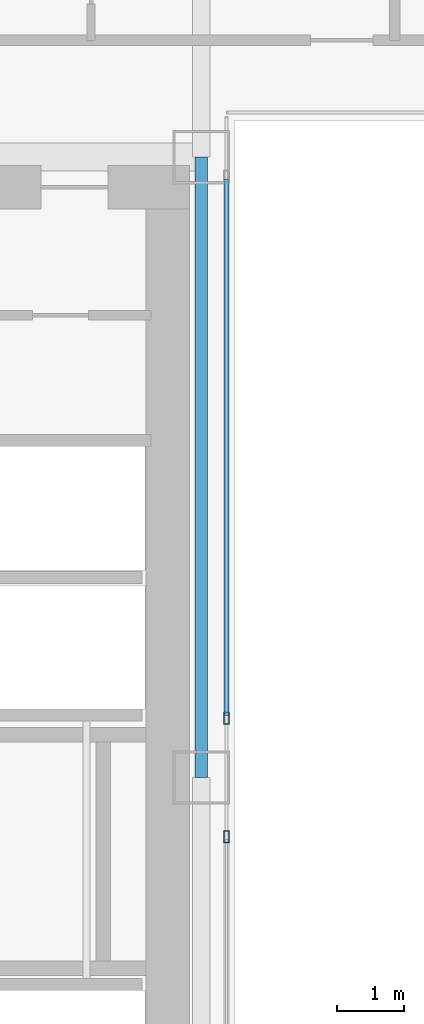
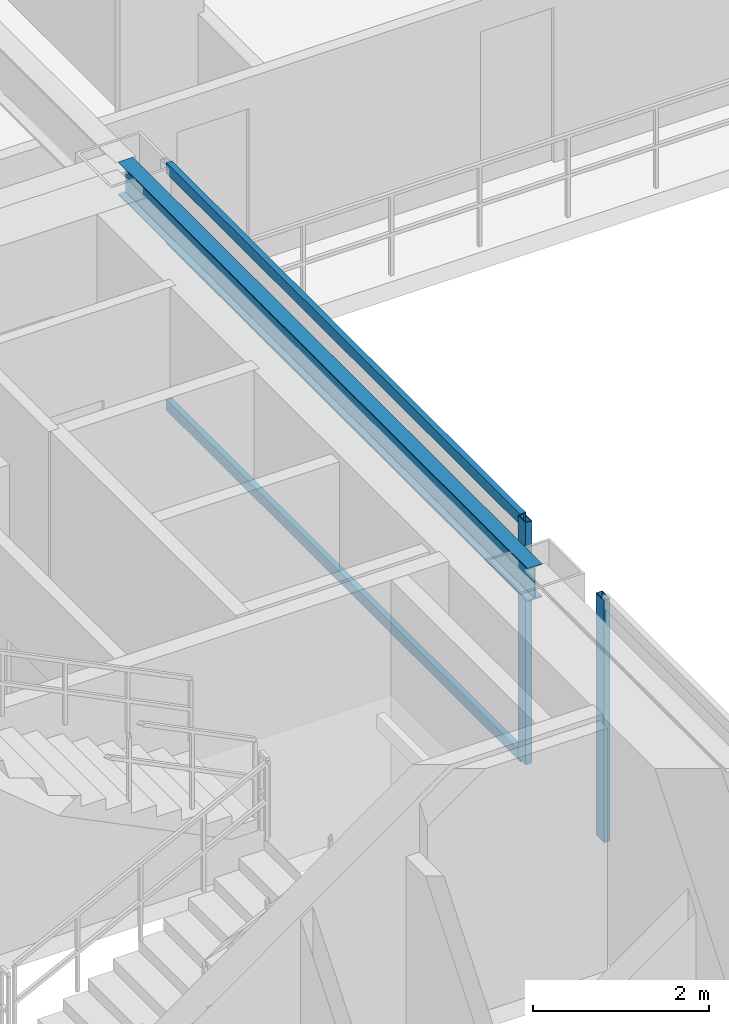
# One storey, part 10 of 39: 5 members, 1 beam, 2 elements without a shape of their own.
"""IFC4 building model written with IfcOpenShell, lengths in metres."""

from ifc_helpers import new_model, si_unit, direction, frame, origin, origin_2d, place, context, subcontext, project, spatial, hollow_rectangle, i_section, extrude, source, transform, mapped, material, layer, layer_set, material_profile, profile_set, type_object, element, aggregate, save


model = new_model("IFC4")

# Units and contexts
model_context = context("Model", 3, precision=1e-05, world=origin(), true_north=direction((0.0, 1.0)))
body_context = subcontext(model_context, "Body", "Model", "MODEL_VIEW")
ifc_project = project(units=[si_unit("LENGTHUNIT", "METRE"), si_unit("AREAUNIT", "SQUARE_METRE"), si_unit("VOLUMEUNIT", "CUBIC_METRE"), si_unit("PLANEANGLEUNIT", "RADIAN"), si_unit("MASSUNIT", "GRAM", prefix="KILO")], contexts=[model_context])

# Site, building, storey
site_placement = place(None, origin())
site = spatial("IfcSite", under=ifc_project, at=site_placement, CompositionType="ELEMENT")
building_placement = place(site_placement, origin())
building = spatial("IfcBuilding", under=site, at=building_placement, Name="Ocotamira Hotel", CompositionType="ELEMENT")
storey_placement = place(building_placement, frame((0.0, 0.0, 126.0)))
storey = spatial("IfcBuildingStorey", under=building, at=storey_placement, Name="L31", CompositionType="ELEMENT", Elevation=126.0)

# Beam
ifc_material_1 = material(Name="Steel ASTM A992 Grade 50", Category="steel")
ifc_material_profile_1 = material_profile(ifc_material_1, i_section(OverallWidth=0.18994140625, OverallDepth=0.45703125, WebThickness=0.009033203125, FlangeThickness=0.014404296875, FilletRadius=0.010009765625, at=origin_2d()), Name="W18X50")
ifc_profile_set_1 = profile_set([ifc_material_profile_1], Name="Steel ASTM A992 Grade 50")
beam_type = type_object("IfcBeamType", Name="BM-SEC-W18X50", PredefinedType="JOIST", material=ifc_profile_set_1)
shared_shape_1 = source(origin(), body_context, "Body", "SweptSolid", [
    extrude(i_section(OverallWidth=0.18994140625, OverallDepth=0.45703125, WebThickness=0.009033203125, FlangeThickness=0.014404296875, FilletRadius=0.010009765625, at=origin_2d()), origin(), (0.0, 0.0, 1.0), 9.300048828125),
])
beam_placement = place(storey_placement, frame((23.5, 28.14990234375, 3.131591796875), z_axis=(0.0, 1.0, 0.0), x_axis=(-1.0, 0.0, 0.0)))
element("IfcBeam", 1, at=beam_placement, inside=storey, type_object=beam_type, Name="L31 Beam X23.5 Y28.15-37.45", PredefinedType="JOIST", context=body_context, shape_type="MappedRepresentation", body=[
    mapped(shared_shape_1, transform((0.0, 0.0, 0.0), scale=1.0)),
])

# Curtain wall, members
ifc_material_2 = material(Name="Anodised pale-metal aluminium and solar glass", Category="aluminium")
ifc_layer = layer(ifc_material_2, 0.159912109375)
ifc_layer_set = layer_set([ifc_layer], Name="Anodised pale-metal aluminium and solar glass")
curtain_wall_type = type_object("IfcCurtainWallType", Name="CW-SYS6-ATR", PredefinedType="NOTDEFINED", material=ifc_layer_set)
curtain_wall_1_placement = place(storey_placement, origin())
curtain_wall_1 = element("IfcCurtainWall", 2, at=curtain_wall_1_placement, inside=storey, type_object=curtain_wall_type, Name="L31 Curtain Wall CW-6 CW-L31-ATRW2", PredefinedType="NOTDEFINED")
ifc_material_3 = material(Name="Anodised pale-metal aluminium 6063-T6", Category="aluminium")
ifc_material_profile_2 = material_profile(ifc_material_3, hollow_rectangle(XDim=0.074951171875, YDim=0.14990234375, WallThickness=0.006103515625, at=origin_2d()), Name="HSS150X75X6")
ifc_profile_set_2 = profile_set([ifc_material_profile_2], Name="Anodised pale-metal aluminium 6063-T6")
member_type_1 = type_object("IfcMemberType", Name="CWT-150X75", PredefinedType="USERDEFINED", material=ifc_profile_set_2)
shared_shape_2 = source(origin(), body_context, "Body", "SweptSolid", [
    extrude(hollow_rectangle(XDim=0.074951171875, YDim=0.14990234375, WallThickness=0.006103515625, at=origin_2d()), origin(), (0.0, 0.0, 1.0), 8.0400390625),
])
member_1_placement = place(storey_placement, frame((23.8798828125, 29.080078125, 0.03759765625), z_axis=(0.0, 1.0, 0.0), x_axis=(-1.0, 0.0, 0.0)))
member_1 = element("IfcMember", 3, at=member_1_placement, type_object=member_type_1, Name="CW-6 transom 1.1", ObjectType="TRANSOM", PredefinedType="USERDEFINED", context=body_context, shape_type="MappedRepresentation", body=[
    mapped(shared_shape_2, transform((0.0, 0.0, 0.0), scale=1.0)),
])
member_2_placement = place(storey_placement, frame((23.8798828125, 29.080078125, 2.35009765625), z_axis=(0.0, 1.0, 0.0), x_axis=(-1.0, 0.0, 0.0)))
member_2 = element("IfcMember", 4, at=member_2_placement, type_object=member_type_1, Name="CW-6 transom 1.2", ObjectType="TRANSOM", PredefinedType="USERDEFINED", context=body_context, shape_type="MappedRepresentation", body=[
    mapped(shared_shape_2, transform((0.0, 0.0, 0.0), scale=1.0)),
])
member_3_placement = place(storey_placement, frame((23.8798828125, 29.080078125, 3.322509765625), z_axis=(0.0, 1.0, 0.0), x_axis=(-1.0, 0.0, 0.0)))
member_3 = element("IfcMember", 5, at=member_3_placement, type_object=member_type_1, Name="CW-6 transom 1.3", ObjectType="TRANSOM", PredefinedType="USERDEFINED", context=body_context, shape_type="MappedRepresentation", body=[
    mapped(shared_shape_2, transform((0.0, 0.0, 0.0), scale=1.0)),
])

# Curtain wall, member
curtain_wall_2_placement = place(storey_placement, origin())
curtain_wall_2 = element("IfcCurtainWall", 6, at=curtain_wall_2_placement, inside=storey, type_object=curtain_wall_type, Name="L31 Curtain Wall CW-6 CW-L31-ATRW1", PredefinedType="NOTDEFINED")
ifc_material_profile_3 = material_profile(ifc_material_3, hollow_rectangle(XDim=0.080078125, YDim=0.179931640625, WallThickness=0.006103515625, at=origin_2d()), Name="HSS180X80X6")
ifc_profile_set_3 = profile_set([ifc_material_profile_3], Name="Anodised pale-metal aluminium 6063-T6")
member_type_2 = type_object("IfcMemberType", Name="CWM-180X75", PredefinedType="MULLION", material=ifc_profile_set_3)
shared_shape_3 = source(origin(), body_context, "Body", "SweptSolid", [
    extrude(hollow_rectangle(XDim=0.080078125, YDim=0.179931640625, WallThickness=0.006103515625, at=origin_2d()), origin(), (0.0, 0.0, 1.0), 3.360107421875),
])
member_4_placement = place(storey_placement, frame((23.8798828125, 27.260009765625, 0.0), z_axis=(0.0, 0.0, 1.0), x_axis=(-1.0, 0.0, 0.0)))
member_4 = element("IfcMember", 7, at=member_4_placement, type_object=member_type_2, Name="CW-6 mullion 3", PredefinedType="MULLION", context=body_context, shape_type="MappedRepresentation", body=[
    mapped(shared_shape_3, transform((0.0, 0.0, 0.0), scale=1.0)),
])
aggregate(curtain_wall_2, [member_4])

# Member
member_5_placement = place(storey_placement, frame((23.8798828125, 29.0400390625, 0.0), z_axis=(0.0, 0.0, 1.0), x_axis=(-1.0, 0.0, 0.0)))
member_5 = element("IfcMember", 8, at=member_5_placement, type_object=member_type_2, Name="CW-6 mullion 1", PredefinedType="MULLION", context=body_context, shape_type="MappedRepresentation", body=[
    mapped(shared_shape_3, transform((0.0, 0.0, 0.0), scale=1.0)),
])

aggregate(curtain_wall_1, [member_5, member_1, member_2, member_3])

save(model, "model.ifc")
